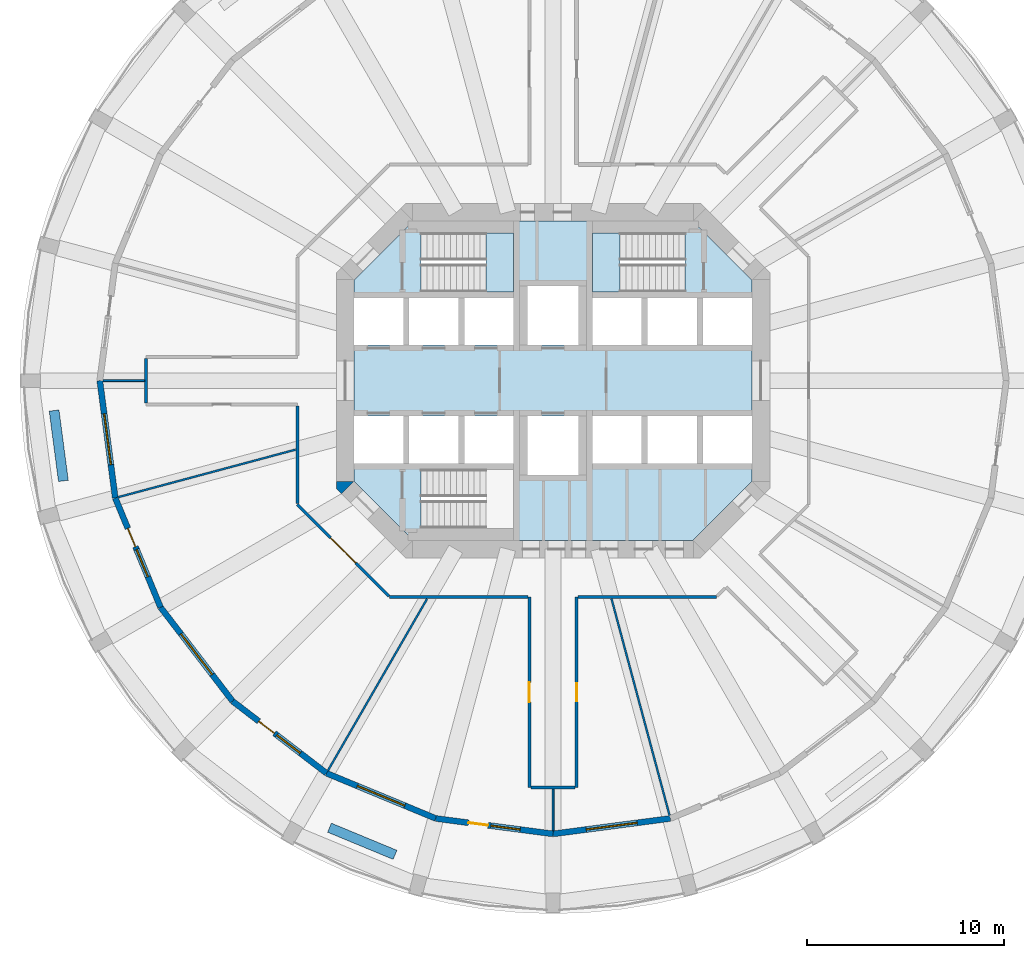
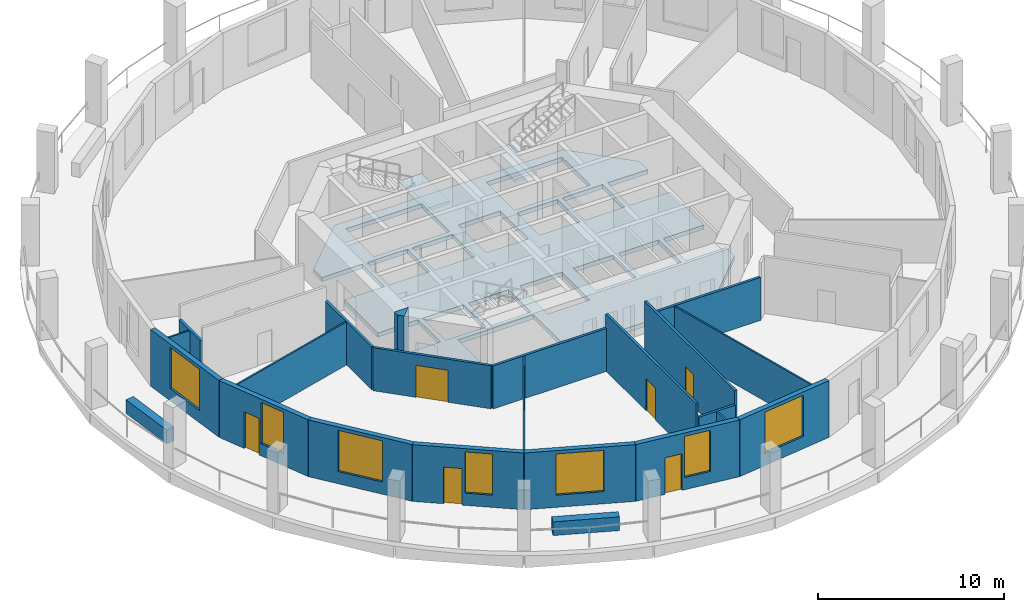
# One storey, part 2 of 9: 23 walls, 7 windows, 6 doors, 3 slabs, 13 openings, 2 elements without a shape of their own.
"""IFC4 building model written with IfcOpenShell, lengths in metres."""

from ifc_helpers import new_model, si_unit, direction, frame, frame_2d, origin, place, context, subcontext, project, spatial, polyline, rectangle, outline, extrude, material, layer, layer_set, type_object, element, fill, aggregate, save


model = new_model("IFC4")

# Units and contexts
model_context = context("Model", 3, precision=1e-05, world=origin(), true_north=direction((0.0, 1.0)))
body_context = subcontext(model_context, "Body", "Model", "MODEL_VIEW")
ifc_project = project(units=[si_unit("LENGTHUNIT", "METRE"), si_unit("AREAUNIT", "SQUARE_METRE"), si_unit("VOLUMEUNIT", "CUBIC_METRE"), si_unit("PLANEANGLEUNIT", "RADIAN"), si_unit("MASSUNIT", "GRAM", prefix="KILO")], contexts=[model_context])

# Site, building, storey
site_placement = place(None, origin())
site = spatial("IfcSite", under=ifc_project, at=site_placement, CompositionType="ELEMENT")
building_placement = place(site_placement, origin())
building = spatial("IfcBuilding", under=site, at=building_placement, Name="Torre Triforio", CompositionType="ELEMENT")
storey_placement = place(building_placement, frame((0.0, 0.0, 55.0)))
storey = spatial("IfcBuildingStorey", under=building, at=storey_placement, Name="L11", CompositionType="ELEMENT", Elevation=55.0)

# Slab
ifc_material_1 = material(Name="Concrete C60", Category="concrete")
ifc_layer_1 = layer(ifc_material_1, 0.280029296875)
ifc_layer_set_1 = layer_set([ifc_layer_1], Name="Concrete C60")
slab_type_1 = type_object("IfcSlabType", Name="Core floor slab 280 mm C60 REI 120", PredefinedType="FLOOR", material=ifc_layer_set_1)
slab_1_placement = place(storey_placement, frame((0.0, 0.0, -0.280029296875)))
element("IfcSlab", 1, at=slab_1_placement, inside=storey, type_object=slab_type_1, Name="Core floor slab", PredefinedType="FLOOR", context=body_context, shape_type="SweptSolid", body=[
    extrude(outline(polyline([(10.10009765625, -5.10009765625), (7.10009765625, -8.10009765625), (-7.10009765625, -8.10009765625), (-10.10009765625, -5.10009765625), (-10.10009765625, -4.199951171875), (-7.60009765625, -4.199951171875), (-7.60009765625, -1.800048828125), (-10.10009765625, -1.800048828125), (-10.10009765625, 1.800048828125), (-7.60009765625, 1.800048828125), (-7.60009765625, 4.199951171875), (-10.10009765625, 4.199951171875), (-10.10009765625, 5.10009765625), (-7.10009765625, 8.10009765625), (7.10009765625, 8.10009765625), (10.10009765625, 5.10009765625), (10.10009765625, 4.199951171875), (7.60009765625, 4.199951171875), (7.60009765625, 1.800048828125), (10.10009765625, 1.800048828125), (10.10009765625, -1.800048828125), (7.60009765625, -1.800048828125), (7.60009765625, -4.199951171875), (10.10009765625, -4.199951171875), (10.10009765625, -5.10009765625)]), holes=[polyline([(-2.0, -4.5), (-6.696044921875, -4.5), (-6.696044921875, -7.5), (-2.0, -7.5), (-2.0, -4.5)]), polyline([(-4.800048828125, -1.800048828125), (-7.300048828125, -1.800048828125), (-7.300048828125, -4.199951171875), (-4.800048828125, -4.199951171875), (-4.800048828125, -1.800048828125)]), polyline([(-2.0, -1.800048828125), (-4.5, -1.800048828125), (-4.5, -4.199951171875), (-2.0, -4.199951171875), (-2.0, -1.800048828125)]), polyline([(-4.800048828125, 4.199951171875), (-7.300048828125, 4.199951171875), (-7.300048828125, 1.800048828125), (-4.800048828125, 1.800048828125), (-4.800048828125, 4.199951171875)]), polyline([(-2.0, 4.199951171875), (-4.5, 4.199951171875), (-4.5, 1.800048828125), (-2.0, 1.800048828125), (-2.0, 4.199951171875)]), polyline([(1.300048828125, 4.800048828125), (-1.300048828125, 4.800048828125), (-1.300048828125, 1.800048828125), (1.300048828125, 1.800048828125), (1.300048828125, 4.800048828125)]), polyline([(-2.0, 7.5), (-6.696044921875, 7.5), (-6.696044921875, 4.5), (-2.0, 4.5), (-2.0, 7.5)]), polyline([(1.300048828125, -1.800048828125), (-1.300048828125, -1.800048828125), (-1.300048828125, -4.800048828125), (1.300048828125, -4.800048828125), (1.300048828125, -1.800048828125)]), polyline([(4.5, -1.800048828125), (2.0, -1.800048828125), (2.0, -4.199951171875), (4.5, -4.199951171875), (4.5, -1.800048828125)]), polyline([(7.300048828125, -1.800048828125), (4.800048828125, -1.800048828125), (4.800048828125, -4.199951171875), (7.300048828125, -4.199951171875), (7.300048828125, -1.800048828125)]), polyline([(4.5, 4.199951171875), (2.0, 4.199951171875), (2.0, 1.800048828125), (4.5, 1.800048828125), (4.5, 4.199951171875)]), polyline([(7.300048828125, 4.199951171875), (4.800048828125, 4.199951171875), (4.800048828125, 1.800048828125), (7.300048828125, 1.800048828125), (7.300048828125, 4.199951171875)]), polyline([(6.696044921875, 4.5), (6.696044921875, 7.5), (2.0, 7.5), (2.0, 4.5), (6.696044921875, 4.5)])]), origin(), (0.0, 0.0, 1.0), 0.280029296875),
])

# Stair, slab
ifc_material_2 = material(Name="Concrete C40", Category="concrete")
stair_type = type_object("IfcStairType", Name="STAIR HALF-TURN", PredefinedType="HALF_TURN_STAIR", material=ifc_material_2)
stair_1_placement = place(storey_placement, origin())
stair_1 = element("IfcStair", 2, at=stair_1_placement, inside=storey, type_object=stair_type, Name="Exit stair 1", PredefinedType="HALF_TURN_STAIR")
ifc_layer_2 = layer(ifc_material_2, 0.199951171875)
ifc_layer_set_2 = layer_set([ifc_layer_2], Name="Concrete C40")
slab_type_2 = type_object("IfcSlabType", Name="STAIR LANDING 200", PredefinedType="LANDING", material=ifc_layer_set_2)
slab_2_placement = place(storey_placement, frame((0.0, 0.0, 1.800048828125)))
slab_2 = element("IfcSlab", 3, at=slab_2_placement, type_object=slab_type_2, Name="ST1 landing 1", PredefinedType="LANDING", context=body_context, shape_type="SweptSolid", body=[
    extrude(outline(polyline([(-2.0, 4.5), (-2.0, 7.5), (-3.39990234375, 7.5), (-3.39990234375, 4.5), (-2.0, 4.5)])), origin(), (0.0, 0.0, 1.0), 0.199951171875),
])
aggregate(stair_1, [slab_2])

stair_2_placement = place(storey_placement, origin())
stair_2 = element("IfcStair", 4, at=stair_2_placement, inside=storey, type_object=stair_type, Name="Exit stair 2", PredefinedType="HALF_TURN_STAIR")
slab_3_placement = place(storey_placement, frame((0.0, 0.0, 1.800048828125)))
slab_3 = element("IfcSlab", 5, at=slab_3_placement, type_object=slab_type_2, Name="ST2 landing 1", PredefinedType="LANDING", context=body_context, shape_type="SweptSolid", body=[
    extrude(outline(polyline([(3.39990234375, 4.5), (3.39990234375, 7.5), (2.0, 7.5), (2.0, 4.5), (3.39990234375, 4.5)])), origin(), (0.0, 0.0, 1.0), 0.199951171875),
])
aggregate(stair_2, [slab_3])

# Walls
ifc_layer_3 = layer(ifc_material_1, 0.89990234375)
ifc_layer_set_3 = layer_set([ifc_layer_3], Name="Concrete C60")
wall_type_1 = type_object("IfcWallType", Name="Core wall 900 mm C60 EI 120", PredefinedType="SHEAR", material=ifc_layer_set_3)
wall_1_placement = place(storey_placement, frame((0.0, 0.0, -0.280029296875)))
element("IfcWall", 6, at=wall_1_placement, inside=storey, type_object=wall_type_1, Name="Core wall", PredefinedType="SHEAR", context=body_context, shape_type="SweptSolid", body=[
    extrude(outline(polyline([(-11.0, -5.472900390625), (-11.0, -5.1298828125), (-10.1298828125, -5.1298828125), (-10.736328125, -5.736328125), (-11.0, -5.472900390625)])), origin(), (0.0, 0.0, 1.0), 4.0),
])
ifc_material_3 = material(Name="Plasterboard on metal studs")
ifc_layer_4 = layer(ifc_material_3, 0.14990234375)
ifc_layer_set_4 = layer_set([ifc_layer_4], Name="Plasterboard on metal studs")
wall_type_2 = type_object("IfcWallType", Name="Corridor and tenancy wall 150 mm EI 60", PredefinedType="PARTITIONING", material=ifc_layer_set_4)
wall_2_placement = place(storey_placement, frame((8.291015625, -10.97509765625, 0.0), z_axis=(0.0, 0.0, 1.0), x_axis=(-1.0, 0.0, 0.0)))
element("IfcWall", 7, at=wall_2_placement, inside=storey, type_object=wall_type_2, Name="Partition 4", PredefinedType="PARTITIONING", context=body_context, shape_type="SweptSolid", body=[
    extrude(rectangle(XDim=7.01611328125, YDim=0.14990234375, at=frame_2d((3.508056640625, 0.0))), origin(), (0.0, 0.0, 1.0), 2.820068359375),
])

# Wall, opening, door
wall_3_placement = place(storey_placement, frame((1.199951171875, -10.97509765625, 0.0), z_axis=(0.0, 0.0, 1.0), x_axis=(0.0, -1.0, 0.0)))
wall_3 = element("IfcWall", 8, at=wall_3_placement, inside=storey, type_object=wall_type_2, Name="Partition 5", PredefinedType="PARTITIONING", context=body_context, shape_type="SweptSolid", body=[
    extrude(rectangle(XDim=9.673583984375, YDim=0.14990234375, at=frame_2d((4.8369140625, 0.0))), origin(), (0.0, 0.0, 1.0), 3.719970703125),
])
opening_1_placement = place(wall_3_placement, frame((4.386962890625, 0.0, 0.0)))
opening_1 = element("IfcOpeningElement", 9, at=opening_1_placement, cuts=wall_3, Name="Opening N3-06", PredefinedType="OPENING", context=body_context, shape_type="SweptSolid", body=[
    extrude(rectangle(XDim=0.89990234375, YDim=2.10009765625, at=frame_2d((0.449951171875, 1.050048828125))), frame((0.0, 0.0849609375, 0.0), z_axis=(0.0, -1.0, 0.0), x_axis=(1.0, 0.0, 0.0)), (0.0, 0.0, 1.0), 0.169921875),
])
ifc_material_4 = material(Name="Timber", Category="wood")
door_type_1 = type_object("IfcDoorType", Name="Door 900 x 2100 single leaf EI 30", OperationType="NOTDEFINED", PredefinedType="DOOR", material=ifc_material_4)
door_1_placement = place(opening_1_placement, origin())
door_1 = element("IfcDoor", 10, at=door_1_placement, inside=storey, type_object=door_type_1, Name="Door N3-06", OperationType="SINGLE_SWING_RIGHT", OverallHeight=2.10009765625, OverallWidth=0.89990234375, PredefinedType="DOOR", context=body_context, shape_type="SweptSolid", body=[
    extrude(rectangle(XDim=0.89990234375, YDim=2.10009765625, at=frame_2d((0.449951171875, 1.050048828125))), frame((0.0, 0.02490234375, 0.0), z_axis=(0.0, -1.0, 0.0), x_axis=(1.0, 0.0, 0.0)), (0.0, 0.0, 1.0), 0.050048828125),
])
fill(opening_1, door_1)

# Wall
wall_4_placement = place(storey_placement, frame((1.125, -20.648681640625, 0.0), z_axis=(0.0, 0.0, 1.0), x_axis=(-1.0, 0.0, 0.0)))
element("IfcWall", 11, at=wall_4_placement, inside=storey, type_object=wall_type_2, Name="Partition 6", PredefinedType="PARTITIONING", context=body_context, shape_type="SweptSolid", body=[
    extrude(rectangle(XDim=2.25, YDim=0.14990234375, at=frame_2d((1.125, 0.0))), origin(), (0.0, 0.0, 1.0), 2.820068359375),
])

# Wall, opening, door
wall_5_placement = place(storey_placement, frame((-1.199951171875, -20.648681640625, 0.0), z_axis=(0.0, 0.0, 1.0), x_axis=(0.0, 1.0, 0.0)))
wall_5 = element("IfcWall", 12, at=wall_5_placement, inside=storey, type_object=wall_type_2, Name="Partition 7", PredefinedType="PARTITIONING", context=body_context, shape_type="SweptSolid", body=[
    extrude(rectangle(XDim=9.673583984375, YDim=0.14990234375, at=frame_2d((4.8369140625, 0.0))), origin(), (0.0, 0.0, 1.0), 3.719970703125),
])
opening_2_placement = place(wall_5_placement, frame((4.3369140625, 0.0, 0.0)))
opening_2 = element("IfcOpeningElement", 13, at=opening_2_placement, cuts=wall_5, Name="Opening N3-05", PredefinedType="OPENING", context=body_context, shape_type="SweptSolid", body=[
    extrude(rectangle(XDim=1.0, YDim=2.10009765625, at=frame_2d((0.5, 1.050048828125))), frame((0.0, 0.0849609375, 0.0), z_axis=(0.0, -1.0, 0.0), x_axis=(1.0, 0.0, 0.0)), (0.0, 0.0, 1.0), 0.169921875),
])
door_type_2 = type_object("IfcDoorType", Name="Door 1000 x 2100 single leaf EI 30", OperationType="NOTDEFINED", PredefinedType="DOOR", material=ifc_material_4)
door_2_placement = place(opening_2_placement, origin())
door_2 = element("IfcDoor", 14, at=door_2_placement, inside=storey, type_object=door_type_2, Name="Door N3-05", OperationType="SINGLE_SWING_RIGHT", OverallHeight=2.10009765625, OverallWidth=1.0, PredefinedType="DOOR", context=body_context, shape_type="SweptSolid", body=[
    extrude(rectangle(XDim=1.0, YDim=2.10009765625, at=frame_2d((0.5, 1.050048828125))), frame((0.0, 0.02490234375, 0.0), z_axis=(0.0, -1.0, 0.0), x_axis=(1.0, 0.0, 0.0)), (0.0, 0.0, 1.0), 0.050048828125),
])
fill(opening_2, door_2)

# Wall
wall_6_placement = place(storey_placement, frame((-1.27490234375, -10.97509765625, 0.0), z_axis=(0.0, 0.0, 1.0), x_axis=(-1.0, 0.0, 0.0)))
element("IfcWall", 15, at=wall_6_placement, inside=storey, type_object=wall_type_2, Name="Partition 8", PredefinedType="PARTITIONING", context=body_context, shape_type="SweptSolid", body=[
    extrude(rectangle(XDim=7.01611328125, YDim=0.14990234375, at=frame_2d((3.508056640625, 0.0))), origin(), (0.0, 0.0, 1.0), 2.820068359375),
])

# Wall, opening, door
wall_7_placement = place(storey_placement, frame((-8.327880859375, -10.93798828125, 0.0), z_axis=(0.0, 0.0, 1.0), x_axis=(-0.707125355289, 0.707088206597, 0.0)))
wall_7 = element("IfcWall", 16, at=wall_7_placement, inside=storey, type_object=wall_type_2, Name="Partition 9", PredefinedType="PARTITIONING", context=body_context, shape_type="SweptSolid", body=[
    extrude(rectangle(XDim=6.572021484375, YDim=0.14990234375, at=frame_2d((3.2861328125, 0.0))), origin(), (0.0, 0.0, 1.0), 2.820068359375),
])
opening_3_placement = place(wall_7_placement, frame((2.385986328125, 0.0, 0.0)))
opening_3 = element("IfcOpeningElement", 17, at=opening_3_placement, cuts=wall_7, Name="Opening N3-04", PredefinedType="OPENING", context=body_context, shape_type="SweptSolid", body=[
    extrude(rectangle(XDim=1.800048828125, YDim=2.10009765625, at=frame_2d((0.89990234375, 1.050048828125))), frame((0.0, 0.0849609375, 0.0), z_axis=(0.0, -1.0, 0.0), x_axis=(1.0, 0.0, 0.0)), (0.0, 0.0, 1.0), 0.169921875),
])
door_type_3 = type_object("IfcDoorType", Name="Door 1800 x 2100 double leaf EI 30", OperationType="DOUBLE_DOOR_SINGLE_SWING", PredefinedType="DOOR", material=ifc_material_4)
door_3_placement = place(opening_3_placement, origin())
door_3 = element("IfcDoor", 18, at=door_3_placement, inside=storey, type_object=door_type_3, Name="Door N3-04", OperationType="DOUBLE_DOOR_SINGLE_SWING", OverallHeight=2.10009765625, OverallWidth=1.800048828125, PredefinedType="DOOR", context=body_context, shape_type="SweptSolid", body=[
    extrude(rectangle(XDim=1.800048828125, YDim=2.10009765625, at=frame_2d((0.89990234375, 1.050048828125))), frame((0.0, 0.02490234375, 0.0), z_axis=(0.0, -1.0, 0.0), x_axis=(1.0, 0.0, 0.0)), (0.0, 0.0, 1.0), 0.050048828125),
])
fill(opening_3, door_3)

# Walls
wall_8_placement = place(storey_placement, frame((-12.97509765625, -6.23828125, 0.0), z_axis=(0.0, 0.0, 1.0), x_axis=(0.0, 1.0, 0.0)))
element("IfcWall", 19, at=wall_8_placement, inside=storey, type_object=wall_type_2, Name="Partition 10", PredefinedType="PARTITIONING", context=body_context, shape_type="SweptSolid", body=[
    extrude(rectangle(XDim=4.96337890625, YDim=0.14990234375, at=frame_2d((2.481689453125, 0.0))), origin(), (0.0, 0.0, 1.0), 2.820068359375),
])
wall_9_placement = place(storey_placement, frame((-20.648681640625, -1.125, 0.0), z_axis=(0.0, 0.0, 1.0), x_axis=(0.0, 1.0, 0.0)))
element("IfcWall", 20, at=wall_9_placement, inside=storey, type_object=wall_type_2, Name="Partition 12", PredefinedType="PARTITIONING", context=body_context, shape_type="SweptSolid", body=[
    extrude(rectangle(XDim=2.25, YDim=0.14990234375, at=frame_2d((1.125, 0.0))), origin(), (0.0, 0.0, 1.0), 2.820068359375),
])
ifc_layer_5 = layer(ifc_material_3, 0.10009765625)
ifc_layer_set_5 = layer_set([ifc_layer_5], Name="Plasterboard on metal studs")
wall_type_3 = type_object("IfcWallType", Name="Partition 100 mm board on metal studs", PredefinedType="PARTITIONING", material=ifc_layer_set_5)
wall_10_placement = place(storey_placement, frame((-20.7236328125, 0.0, 0.0), z_axis=(0.0, 0.0, 1.0), x_axis=(-1.0, 0.0, 0.0)))
element("IfcWall", 21, at=wall_10_placement, inside=storey, type_object=wall_type_3, Name="Partition 37", PredefinedType="PARTITIONING", context=body_context, shape_type="SweptSolid", body=[
    extrude(rectangle(XDim=2.113037109375, YDim=0.10009765625, at=frame_2d((1.056640625, 0.0))), origin(), (0.0, 0.0, 1.0), 2.820068359375),
])
wall_11_placement = place(storey_placement, frame((-13.064208984375, -3.50048828125, 0.0), z_axis=(0.0, 0.0, 1.0), x_axis=(-0.965922655056, -0.258830880017, 0.0)))
element("IfcWall", 22, at=wall_11_placement, inside=storey, type_object=wall_type_3, Name="Partition 38", PredefinedType="PARTITIONING", context=body_context, shape_type="SweptSolid", body=[
    extrude(rectangle(XDim=9.311767578125, YDim=0.10009765625, at=frame_2d((4.65576171875, 0.0))), origin(), (0.0, 0.0, 1.0), 2.820068359375),
])
wall_12_placement = place(storey_placement, frame((-6.393798828125, -11.07470703125, 0.0), z_axis=(0.0, 0.0, 1.0), x_axis=(-0.500024592647, -0.866011204747, 0.0)))
element("IfcWall", 23, at=wall_12_placement, inside=storey, type_object=wall_type_3, Name="Partition 39", PredefinedType="PARTITIONING", context=body_context, shape_type="SweptSolid", body=[
    extrude(rectangle(XDim=10.048828125, YDim=0.10009765625, at=frame_2d((5.0244140625, 0.0))), origin(), (0.0, 0.0, 1.0), 2.820068359375),
])
wall_13_placement = place(storey_placement, frame((0.0, -20.7236328125, 0.0), z_axis=(0.0, 0.0, 1.0), x_axis=(0.0, -1.0, 0.0)))
element("IfcWall", 24, at=wall_13_placement, inside=storey, type_object=wall_type_3, Name="Partition 40", PredefinedType="PARTITIONING", context=body_context, shape_type="SweptSolid", body=[
    extrude(rectangle(XDim=2.113037109375, YDim=0.10009765625, at=frame_2d((1.056640625, 0.0))), origin(), (0.0, 0.0, 1.0), 2.820068359375),
])
wall_14_placement = place(storey_placement, frame((2.964599609375, -11.064208984375, 0.0), z_axis=(0.0, 0.0, 1.0), x_axis=(0.258827930947, -0.965923445291, 0.0)))
element("IfcWall", 25, at=wall_14_placement, inside=storey, type_object=wall_type_3, Name="Partition 41", PredefinedType="PARTITIONING", context=body_context, shape_type="SweptSolid", body=[
    extrude(rectangle(XDim=11.38232421875, YDim=0.10009765625, at=frame_2d((5.691162109375, 0.0))), origin(), (0.0, 0.0, 1.0), 2.820068359375),
])
ifc_material_5 = material(Name="Limestone cladding", Category="masonry")
ifc_layer_6 = layer(ifc_material_5, 0.10009765625)
ifc_layer_7 = layer(ifc_material_2, 0.39990234375)
ifc_layer_set_6 = layer_set([ifc_layer_6, ifc_layer_7], Name="Limestone cladding / Concrete C40")
wall_type_4 = type_object("IfcWallType", Name="Planter wall 500", PredefinedType="PARAPET", material=ifc_layer_set_6)
for number, where, z_axis, x_axis, name in (
    (26, (-25.318603515625, -1.517578125, 0.0), (0.0, 0.0, 1.0), (0.130542222659, -0.991442750795, 0.0), "Planter L11 bay 13"),
    (27, (-11.344970703125, -22.685302734375, 0.0), (0.0, 0.0, 1.0), (0.923885420167, -0.382669217998, 0.0), "Planter L11 bay 17"),
):
    element("IfcWall", number, at=place(storey_placement, frame(where, z_axis=z_axis, x_axis=x_axis)), inside=storey, type_object=wall_type_4, Name=name, PredefinedType="PARAPET", context=body_context, shape_type="SweptSolid", body=[
        extrude(rectangle(XDim=3.60009765625, YDim=0.5, at=frame_2d((1.800048828125, 0.0))), origin(), (0.0, 0.0, 1.0), 0.89990234375),
    ])

# Wall, opening, window
ifc_layer_8 = layer(ifc_material_5, 0.10009765625)
ifc_layer_9 = layer(ifc_material_2, 0.199951171875)
ifc_layer_set_7 = layer_set([ifc_layer_8, ifc_layer_9], Name="Limestone cladding / Concrete C40")
wall_type_5 = type_object("IfcWallType", Name="Stone-faced composite wall 300", PredefinedType="STANDARD", material=ifc_layer_set_7)
wall_15_placement = place(storey_placement, frame((-23.0, 0.0, 0.0), z_axis=(0.0, 0.0, 1.0), x_axis=(0.130522880875, -0.991445297315, 0.0)))
wall_15 = element("IfcWall", 28, at=wall_15_placement, inside=storey, type_object=wall_type_5, Name="External wall L11 bay 13", PredefinedType="STANDARD", context=body_context, shape_type="SweptSolid", body=[
    extrude(rectangle(XDim=6.004150390625, YDim=0.300048828125, at=frame_2d((3.001953125, 0.0))), origin(), (0.0, 0.0, 1.0), 3.719970703125),
])
opening_4_placement = place(wall_15_placement, frame((1.7021484375, 0.0, 0.800048828125)))
opening_4 = element("IfcOpeningElement", 29, at=opening_4_placement, cuts=wall_15, Name="Opening N3-W13", PredefinedType="OPENING", context=body_context, shape_type="SweptSolid", body=[
    extrude(rectangle(XDim=2.60009765625, YDim=2.699951171875, at=frame_2d((1.300048828125, 1.35009765625))), frame((0.0, 0.159912109375, 0.0), z_axis=(0.0, -1.0, 0.0), x_axis=(1.0, 0.0, 0.0)), (0.0, 0.0, 1.0), 0.320068359375),
])
ifc_material_6 = material(Name="Aluminium frame with clear double glazing", Category="aluminium")
window_type_1 = type_object("IfcWindowType", Name="Punched window 2600 x 2700", PartitioningType="DOUBLE_PANEL_VERTICAL", PredefinedType="WINDOW", material=ifc_material_6)
window_1_placement = place(opening_4_placement, origin())
window_1 = element("IfcWindow", 30, at=window_1_placement, inside=storey, type_object=window_type_1, Name="Window EWN2 L11 bay 13", OverallHeight=2.699951171875, OverallWidth=2.60009765625, PartitioningType="SINGLE_PANEL", PredefinedType="WINDOW", context=body_context, shape_type="SweptSolid", body=[
    extrude(rectangle(XDim=2.60009765625, YDim=2.699951171875, at=frame_2d((1.300048828125, 1.35009765625))), frame((0.0, 0.030029296875, 0.0), z_axis=(0.0, -1.0, 0.0), x_axis=(1.0, 0.0, 0.0)), (0.0, 0.0, 1.0), 0.06005859375),
])
fill(opening_4, window_1)

# Wall, openings, door, window
wall_16_placement = place(storey_placement, frame((-22.21630859375, -5.952880859375, 0.0), z_axis=(0.0, 0.0, 1.0), x_axis=(0.382671411433, -0.923884511653, 0.0)))
wall_16 = element("IfcWall", 31, at=wall_16_placement, inside=storey, type_object=wall_type_5, Name="External wall L11 bay 14", PredefinedType="STANDARD", context=body_context, shape_type="SweptSolid", body=[
    extrude(rectangle(XDim=6.004150390625, YDim=0.300048828125, at=frame_2d((3.001953125, 0.0))), origin(), (0.0, 0.0, 1.0), 3.719970703125),
])
opening_5_placement = place(wall_16_placement, frame((1.677001953125, 0.0, 0.0)))
opening_5 = element("IfcOpeningElement", 32, at=opening_5_placement, cuts=wall_16, Name="Opening N3-D14", PredefinedType="OPENING", context=body_context, shape_type="SweptSolid", body=[
    extrude(rectangle(XDim=1.0, YDim=2.39990234375, at=frame_2d((0.5, 1.199951171875))), frame((0.0, 0.159912109375, 0.0), z_axis=(0.0, -1.0, 0.0), x_axis=(1.0, 0.0, 0.0)), (0.0, 0.0, 1.0), 0.320068359375),
])
opening_6_placement = place(wall_16_placement, frame((2.8271484375, 0.0, 0.800048828125)))
opening_6 = element("IfcOpeningElement", 33, at=opening_6_placement, cuts=wall_16, Name="Opening N3-W14A", PredefinedType="OPENING", context=body_context, shape_type="SweptSolid", body=[
    extrude(rectangle(XDim=1.5, YDim=2.699951171875, at=frame_2d((0.75, 1.35009765625))), frame((0.0, 0.159912109375, 0.0), z_axis=(0.0, -1.0, 0.0), x_axis=(1.0, 0.0, 0.0)), (0.0, 0.0, 1.0), 0.320068359375),
])
door_type_4 = type_object("IfcDoorType", Name="Loggia door 1000 x 2400", OperationType="NOTDEFINED", PredefinedType="DOOR", material=ifc_material_6)
door_4_placement = place(opening_5_placement, origin())
door_4 = element("IfcDoor", 34, at=door_4_placement, inside=storey, type_object=door_type_4, Name="Loggia door L11 bay 14", OperationType="SINGLE_SWING_LEFT", OverallHeight=2.39990234375, OverallWidth=1.0, PredefinedType="DOOR", context=body_context, shape_type="SweptSolid", body=[
    extrude(rectangle(XDim=1.0, YDim=2.39990234375, at=frame_2d((0.5, 1.199951171875))), frame((0.0, 0.02490234375, 0.0), z_axis=(0.0, -1.0, 0.0), x_axis=(1.0, 0.0, 0.0)), (0.0, 0.0, 1.0), 0.050048828125),
])
fill(opening_5, door_4)
window_type_2 = type_object("IfcWindowType", Name="Side window 1500 x 2700", PartitioningType="SINGLE_PANEL", PredefinedType="WINDOW", material=ifc_material_6)
window_2_placement = place(opening_6_placement, origin())
window_2 = element("IfcWindow", 35, at=window_2_placement, inside=storey, type_object=window_type_2, Name="Side window EWN12 L11 bay 14", OverallHeight=2.699951171875, OverallWidth=1.5, PartitioningType="SINGLE_PANEL", PredefinedType="WINDOW", context=body_context, shape_type="SweptSolid", body=[
    extrude(rectangle(XDim=1.5, YDim=2.699951171875, at=frame_2d((0.75, 1.35009765625))), frame((0.0, 0.030029296875, 0.0), z_axis=(0.0, -1.0, 0.0), x_axis=(1.0, 0.0, 0.0)), (0.0, 0.0, 1.0), 0.06005859375),
])
fill(opening_6, window_2)

# Wall, opening, window
wall_17_placement = place(storey_placement, frame((-19.918701171875, -11.5, 0.0), z_axis=(0.0, 0.0, 1.0), x_axis=(0.608778912074, -0.793339924758, 0.0)))
wall_17 = element("IfcWall", 36, at=wall_17_placement, inside=storey, type_object=wall_type_5, Name="External wall L11 bay 15", PredefinedType="STANDARD", context=body_context, shape_type="SweptSolid", body=[
    extrude(rectangle(XDim=6.004150390625, YDim=0.300048828125, at=frame_2d((3.001953125, 0.0))), origin(), (0.0, 0.0, 1.0), 3.719970703125),
])
opening_7_placement = place(wall_17_placement, frame((1.7021484375, 0.0, 0.800048828125)))
opening_7 = element("IfcOpeningElement", 37, at=opening_7_placement, cuts=wall_17, Name="Opening N3-W15", PredefinedType="OPENING", context=body_context, shape_type="SweptSolid", body=[
    extrude(rectangle(XDim=2.60009765625, YDim=2.699951171875, at=frame_2d((1.300048828125, 1.35009765625))), frame((0.0, 0.159912109375, 0.0), z_axis=(0.0, -1.0, 0.0), x_axis=(1.0, 0.0, 0.0)), (0.0, 0.0, 1.0), 0.320068359375),
])
window_3_placement = place(opening_7_placement, origin())
window_3 = element("IfcWindow", 38, at=window_3_placement, inside=storey, type_object=window_type_1, Name="Window EWN2 L11 bay 15", OverallHeight=2.699951171875, OverallWidth=2.60009765625, PartitioningType="SINGLE_PANEL", PredefinedType="WINDOW", context=body_context, shape_type="SweptSolid", body=[
    extrude(rectangle(XDim=2.60009765625, YDim=2.699951171875, at=frame_2d((1.300048828125, 1.35009765625))), frame((0.0, 0.030029296875, 0.0), z_axis=(0.0, -1.0, 0.0), x_axis=(1.0, 0.0, 0.0)), (0.0, 0.0, 1.0), 0.06005859375),
])
fill(opening_7, window_3)

# Wall, openings, door, window
wall_18_placement = place(storey_placement, frame((-16.263427734375, -16.263427734375, 0.0), z_axis=(0.0, 0.0, 1.0), x_axis=(0.793339924758, -0.608778912074, 0.0)))
wall_18 = element("IfcWall", 39, at=wall_18_placement, inside=storey, type_object=wall_type_5, Name="External wall L11 bay 16", PredefinedType="STANDARD", context=body_context, shape_type="SweptSolid", body=[
    extrude(rectangle(XDim=6.004150390625, YDim=0.300048828125, at=frame_2d((3.001953125, 0.0))), origin(), (0.0, 0.0, 1.0), 3.719970703125),
])
opening_8_placement = place(wall_18_placement, frame((1.677001953125, 0.0, 0.0)))
opening_8 = element("IfcOpeningElement", 40, at=opening_8_placement, cuts=wall_18, Name="Opening N3-D16", PredefinedType="OPENING", context=body_context, shape_type="SweptSolid", body=[
    extrude(rectangle(XDim=1.0, YDim=2.39990234375, at=frame_2d((0.5, 1.199951171875))), frame((0.0, 0.159912109375, 0.0), z_axis=(0.0, -1.0, 0.0), x_axis=(1.0, 0.0, 0.0)), (0.0, 0.0, 1.0), 0.320068359375),
])
opening_9_placement = place(wall_18_placement, frame((2.8271484375, 0.0, 0.800048828125)))
opening_9 = element("IfcOpeningElement", 41, at=opening_9_placement, cuts=wall_18, Name="Opening N3-W16A", PredefinedType="OPENING", context=body_context, shape_type="SweptSolid", body=[
    extrude(rectangle(XDim=1.5, YDim=2.699951171875, at=frame_2d((0.75, 1.35009765625))), frame((0.0, 0.159912109375, 0.0), z_axis=(0.0, -1.0, 0.0), x_axis=(1.0, 0.0, 0.0)), (0.0, 0.0, 1.0), 0.320068359375),
])
door_5_placement = place(opening_8_placement, origin())
door_5 = element("IfcDoor", 42, at=door_5_placement, inside=storey, type_object=door_type_4, Name="Loggia door L11 bay 16", OperationType="SINGLE_SWING_LEFT", OverallHeight=2.39990234375, OverallWidth=1.0, PredefinedType="DOOR", context=body_context, shape_type="SweptSolid", body=[
    extrude(rectangle(XDim=1.0, YDim=2.39990234375, at=frame_2d((0.5, 1.199951171875))), frame((0.0, 0.02490234375, 0.0), z_axis=(0.0, -1.0, 0.0), x_axis=(1.0, 0.0, 0.0)), (0.0, 0.0, 1.0), 0.050048828125),
])
fill(opening_8, door_5)
window_4_placement = place(opening_9_placement, origin())
window_4 = element("IfcWindow", 43, at=window_4_placement, inside=storey, type_object=window_type_2, Name="Side window EWN12 L11 bay 16", OverallHeight=2.699951171875, OverallWidth=1.5, PartitioningType="SINGLE_PANEL", PredefinedType="WINDOW", context=body_context, shape_type="SweptSolid", body=[
    extrude(rectangle(XDim=1.5, YDim=2.699951171875, at=frame_2d((0.75, 1.35009765625))), frame((0.0, 0.030029296875, 0.0), z_axis=(0.0, -1.0, 0.0), x_axis=(1.0, 0.0, 0.0)), (0.0, 0.0, 1.0), 0.06005859375),
])
fill(opening_9, window_4)

# Wall, opening, window
wall_19_placement = place(storey_placement, frame((-11.5, -19.918701171875, 0.0), z_axis=(0.0, 0.0, 1.0), x_axis=(0.923884511653, -0.382671411433, 0.0)))
wall_19 = element("IfcWall", 44, at=wall_19_placement, inside=storey, type_object=wall_type_5, Name="External wall L11 bay 17", PredefinedType="STANDARD", context=body_context, shape_type="SweptSolid", body=[
    extrude(rectangle(XDim=6.004150390625, YDim=0.300048828125, at=frame_2d((3.001953125, 0.0))), origin(), (0.0, 0.0, 1.0), 3.719970703125),
])
opening_10_placement = place(wall_19_placement, frame((1.7021484375, 0.0, 0.800048828125)))
opening_10 = element("IfcOpeningElement", 45, at=opening_10_placement, cuts=wall_19, Name="Opening N3-W17", PredefinedType="OPENING", context=body_context, shape_type="SweptSolid", body=[
    extrude(rectangle(XDim=2.60009765625, YDim=2.699951171875, at=frame_2d((1.300048828125, 1.35009765625))), frame((0.0, 0.159912109375, 0.0), z_axis=(0.0, -1.0, 0.0), x_axis=(1.0, 0.0, 0.0)), (0.0, 0.0, 1.0), 0.320068359375),
])
window_5_placement = place(opening_10_placement, origin())
window_5 = element("IfcWindow", 46, at=window_5_placement, inside=storey, type_object=window_type_1, Name="Window EWN2 L11 bay 17", OverallHeight=2.699951171875, OverallWidth=2.60009765625, PartitioningType="SINGLE_PANEL", PredefinedType="WINDOW", context=body_context, shape_type="SweptSolid", body=[
    extrude(rectangle(XDim=2.60009765625, YDim=2.699951171875, at=frame_2d((1.300048828125, 1.35009765625))), frame((0.0, 0.030029296875, 0.0), z_axis=(0.0, -1.0, 0.0), x_axis=(1.0, 0.0, 0.0)), (0.0, 0.0, 1.0), 0.06005859375),
])
fill(opening_10, window_5)

# Wall, openings, door, window
wall_20_placement = place(storey_placement, frame((-5.952880859375, -22.21630859375, 0.0), z_axis=(0.0, 0.0, 1.0), x_axis=(0.991445297315, -0.130522880875, 0.0)))
wall_20 = element("IfcWall", 47, at=wall_20_placement, inside=storey, type_object=wall_type_5, Name="External wall L11 bay 18", PredefinedType="STANDARD", context=body_context, shape_type="SweptSolid", body=[
    extrude(rectangle(XDim=6.004150390625, YDim=0.300048828125, at=frame_2d((3.001953125, 0.0))), origin(), (0.0, 0.0, 1.0), 3.719970703125),
])
opening_11_placement = place(wall_20_placement, frame((1.677001953125, 0.0, 0.0)))
opening_11 = element("IfcOpeningElement", 48, at=opening_11_placement, cuts=wall_20, Name="Opening N3-D18", PredefinedType="OPENING", context=body_context, shape_type="SweptSolid", body=[
    extrude(rectangle(XDim=1.0, YDim=2.39990234375, at=frame_2d((0.5, 1.199951171875))), frame((0.0, 0.159912109375, 0.0), z_axis=(0.0, -1.0, 0.0), x_axis=(1.0, 0.0, 0.0)), (0.0, 0.0, 1.0), 0.320068359375),
])
opening_12_placement = place(wall_20_placement, frame((2.8271484375, 0.0, 0.800048828125)))
opening_12 = element("IfcOpeningElement", 49, at=opening_12_placement, cuts=wall_20, Name="Opening N3-W18A", PredefinedType="OPENING", context=body_context, shape_type="SweptSolid", body=[
    extrude(rectangle(XDim=1.5, YDim=2.699951171875, at=frame_2d((0.75, 1.35009765625))), frame((0.0, 0.159912109375, 0.0), z_axis=(0.0, -1.0, 0.0), x_axis=(1.0, 0.0, 0.0)), (0.0, 0.0, 1.0), 0.320068359375),
])
door_6_placement = place(opening_11_placement, origin())
door_6 = element("IfcDoor", 50, at=door_6_placement, inside=storey, type_object=door_type_4, Name="Loggia door L11 bay 18", OperationType="SINGLE_SWING_RIGHT", OverallHeight=2.39990234375, OverallWidth=1.0, PredefinedType="DOOR", context=body_context, shape_type="SweptSolid", body=[
    extrude(rectangle(XDim=1.0, YDim=2.39990234375, at=frame_2d((0.5, 1.199951171875))), frame((0.0, 0.02490234375, 0.0), z_axis=(0.0, -1.0, 0.0), x_axis=(1.0, 0.0, 0.0)), (0.0, 0.0, 1.0), 0.050048828125),
])
fill(opening_11, door_6)
window_6_placement = place(opening_12_placement, origin())
window_6 = element("IfcWindow", 51, at=window_6_placement, inside=storey, type_object=window_type_2, Name="Side window EWN12 L11 bay 18", OverallHeight=2.699951171875, OverallWidth=1.5, PartitioningType="SINGLE_PANEL", PredefinedType="WINDOW", context=body_context, shape_type="SweptSolid", body=[
    extrude(rectangle(XDim=1.5, YDim=2.699951171875, at=frame_2d((0.75, 1.35009765625))), frame((0.0, 0.030029296875, 0.0), z_axis=(0.0, -1.0, 0.0), x_axis=(1.0, 0.0, 0.0)), (0.0, 0.0, 1.0), 0.06005859375),
])
fill(opening_12, window_6)

# Wall, opening, window
wall_21_placement = place(storey_placement, frame((0.0, -23.0, 0.0), z_axis=(0.0, 0.0, 1.0), x_axis=(0.991445297315, 0.130522880875, 0.0)))
wall_21 = element("IfcWall", 52, at=wall_21_placement, inside=storey, type_object=wall_type_5, Name="External wall L11 bay 19", PredefinedType="STANDARD", context=body_context, shape_type="SweptSolid", body=[
    extrude(rectangle(XDim=6.004150390625, YDim=0.300048828125, at=frame_2d((3.001953125, 0.0))), origin(), (0.0, 0.0, 1.0), 3.719970703125),
])
opening_13_placement = place(wall_21_placement, frame((1.7021484375, 0.0, 0.800048828125)))
opening_13 = element("IfcOpeningElement", 53, at=opening_13_placement, cuts=wall_21, Name="Opening N3-W19", PredefinedType="OPENING", context=body_context, shape_type="SweptSolid", body=[
    extrude(rectangle(XDim=2.60009765625, YDim=2.699951171875, at=frame_2d((1.300048828125, 1.35009765625))), frame((0.0, 0.159912109375, 0.0), z_axis=(0.0, -1.0, 0.0), x_axis=(1.0, 0.0, 0.0)), (0.0, 0.0, 1.0), 0.320068359375),
])
window_7_placement = place(opening_13_placement, origin())
window_7 = element("IfcWindow", 54, at=window_7_placement, inside=storey, type_object=window_type_1, Name="Window EWN2 L11 bay 19", OverallHeight=2.699951171875, OverallWidth=2.60009765625, PartitioningType="SINGLE_PANEL", PredefinedType="WINDOW", context=body_context, shape_type="SweptSolid", body=[
    extrude(rectangle(XDim=2.60009765625, YDim=2.699951171875, at=frame_2d((1.300048828125, 1.35009765625))), frame((0.0, 0.030029296875, 0.0), z_axis=(0.0, -1.0, 0.0), x_axis=(1.0, 0.0, 0.0)), (0.0, 0.0, 1.0), 0.06005859375),
])
fill(opening_13, window_7)

save(model, "model.ifc")
